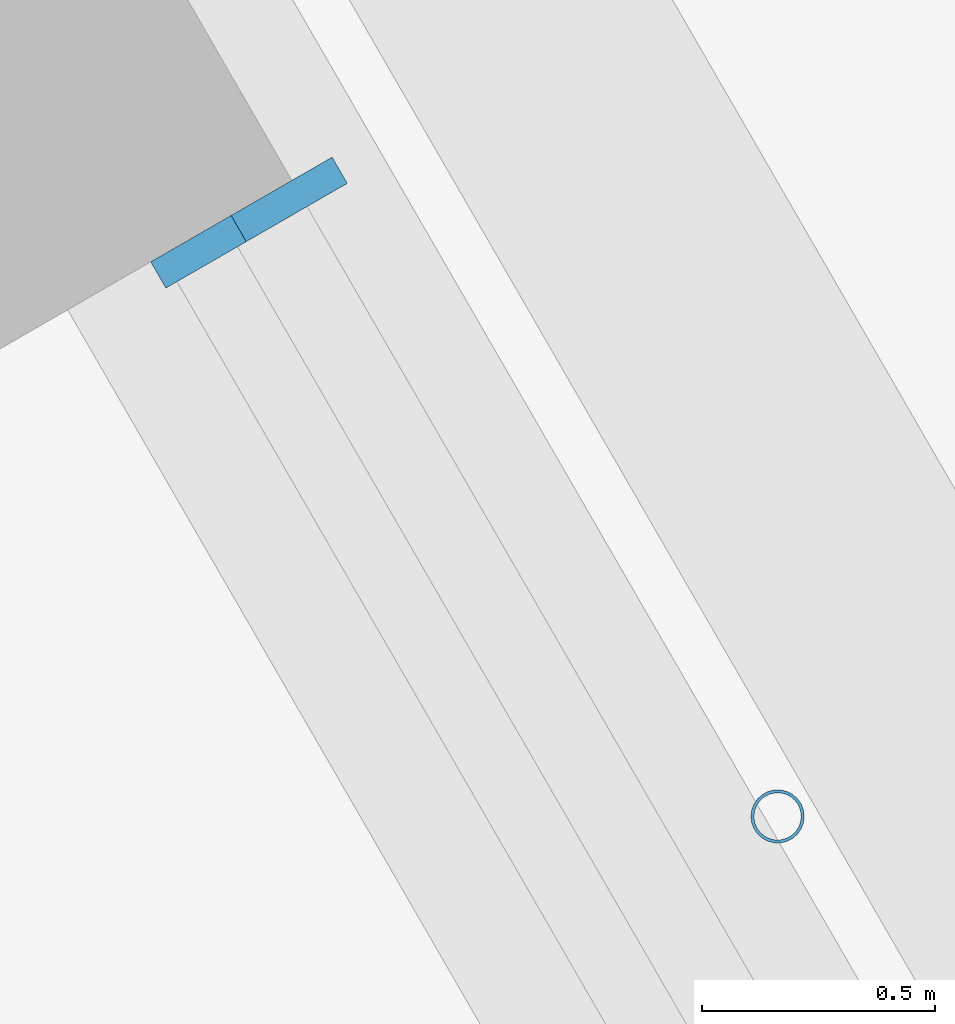
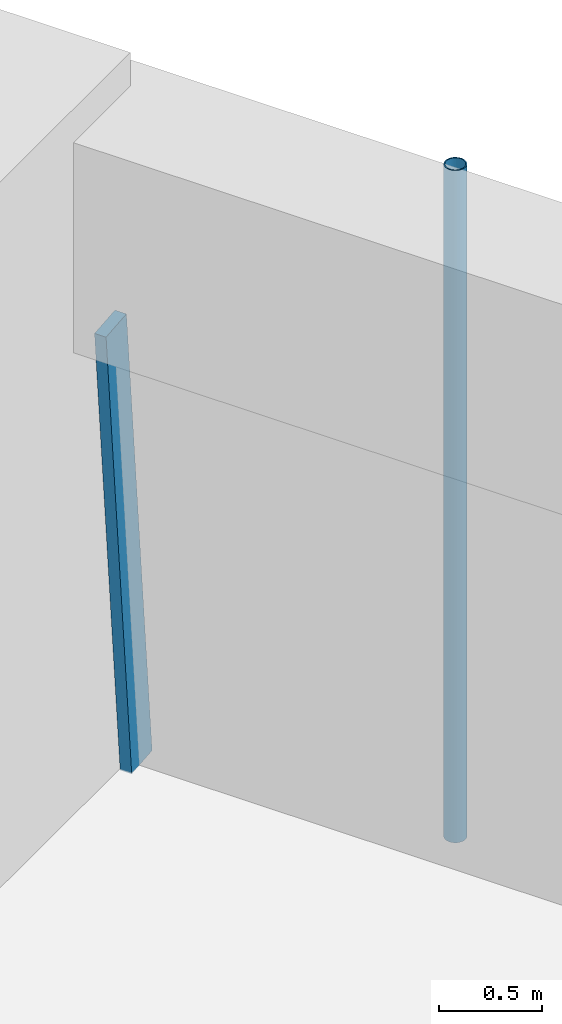
# One storey, part 15 of 24: 2 members, 1 element without a shape of its own.
"""IFC4 building model written with IfcOpenShell, lengths in metres."""

from ifc_helpers import new_model, si_unit, direction, frame, origin, origin_2d, place, context, subcontext, project, spatial, rectangle, hollow_circle, extrude, material, material_profile, profile_set, type_object, element, aggregate, save


model = new_model("IFC4")

# Units and contexts
model_context = context("Model", 3, precision=1e-05, world=origin(), true_north=direction((0.0, 1.0)))
body_context = subcontext(model_context, "Body", "Model", "MODEL_VIEW")
ifc_project = project(units=[si_unit("LENGTHUNIT", "METRE"), si_unit("AREAUNIT", "SQUARE_METRE"), si_unit("VOLUMEUNIT", "CUBIC_METRE"), si_unit("PLANEANGLEUNIT", "RADIAN"), si_unit("MASSUNIT", "GRAM", prefix="KILO")], contexts=[model_context])

# Site, building, storey
site_placement = place(None, origin())
site = spatial("IfcSite", under=ifc_project, at=site_placement, CompositionType="ELEMENT")
building_placement = place(site_placement, origin())
building = spatial("IfcBuilding", under=site, at=building_placement, Name="Tarfa Lantern Tower", CompositionType="ELEMENT")
storey_placement = place(building_placement, frame((0.0, 0.0, 153.10009765625)))
storey = spatial("IfcBuildingStorey", under=building, at=storey_placement, Name="L34", CompositionType="ELEMENT", Elevation=153.10009765625)

# Curtain wall, member
ifc_material_1 = material(Name="Aluminium framed curtain wall", Category="aluminium")
curtain_wall_type = type_object("IfcCurtainWallType", Name="CW2 CANTED GLAZING MID ZONE 2750", PredefinedType="USERDEFINED", material=ifc_material_1)
curtain_wall_placement = place(storey_placement, origin())
curtain_wall = element("IfcCurtainWall", 1, at=curtain_wall_placement, inside=storey, type_object=curtain_wall_type, Name="CW2 NE L34", ObjectType="CURTAIN WALL", PredefinedType="USERDEFINED")
ifc_material_2 = material(Name="Aluminium mullion", Category="aluminium")
ifc_material_profile_1 = material_profile(ifc_material_2, rectangle(XDim=0.06494140625, YDim=0.199951171875, at=origin_2d()), Name="AL MULLION 65x200")
ifc_profile_set_1 = profile_set([ifc_material_profile_1], Name="Aluminium mullion")
member_type_1 = type_object("IfcMemberType", Name="CWM1 MULLION 65x200", PredefinedType="MULLION", material=ifc_profile_set_1)
member_1_placement = place(storey_placement, frame((30.111328125, 10.645751953125, 0.0), z_axis=(-0.078422950161, -0.045267813396, 0.995891894715), x_axis=(0.499919672301, -0.866071776036, 0.0)))
member_1 = element("IfcMember", 2, at=member_1_placement, type_object=member_type_1, Name="CW2 mullion 2", PredefinedType="MULLION", context=body_context, shape_type="SweptSolid", body=[
    extrude(rectangle(XDim=0.06494140625, YDim=0.199951171875, at=origin_2d()), origin(), (0.0, 0.0, 1.0), 2.76123046875),
])
aggregate(curtain_wall, [member_1])

# Member
ifc_material_3 = material(Name="Steel S355", Category="steel")
ifc_material_profile_2 = material_profile(ifc_material_3, hollow_circle(Radius=0.05712890625, WallThickness=0.00634765625, at=origin_2d()), Name="CHS114.3x6.3")
ifc_profile_set_2 = profile_set([ifc_material_profile_2], Name="Steel S355")
member_type_2 = type_object("IfcMemberType", Name="TR1 GREEN WALL TRELLIS CHS114.3x6.3", PredefinedType="USERDEFINED", material=ifc_profile_set_2)
member_2_placement = place(storey_placement, frame((31.136474609375, 9.31005859375, 0.0), z_axis=(0.0, 0.0, 1.0), x_axis=(1.0, 0.0, 0.0)))
element("IfcMember", 3, at=member_2_placement, inside=storey, type_object=member_type_2, Name="Trellis post NE 1", ObjectType="TRELLIS", PredefinedType="USERDEFINED", context=body_context, shape_type="SweptSolid", body=[
    extrude(hollow_circle(Radius=0.05712890625, WallThickness=0.00634765625, at=origin_2d()), origin(), (0.0, 0.0, 1.0), 4.0),
])

save(model, "model.ifc")
